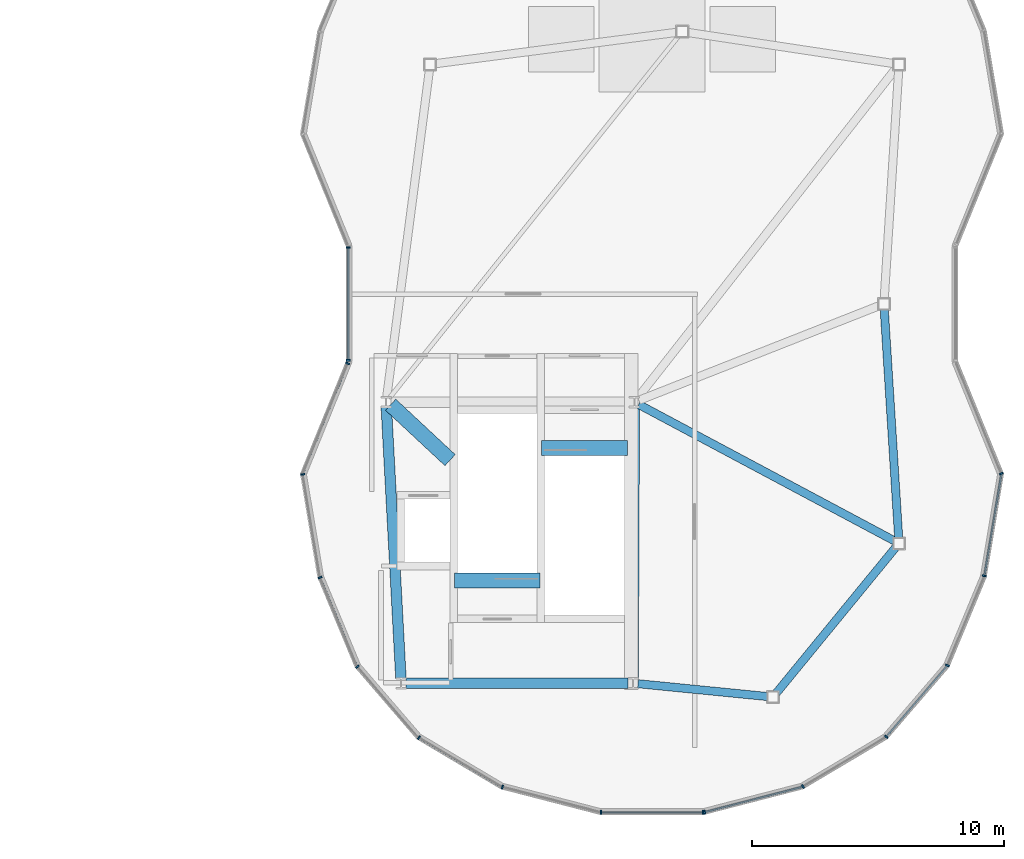
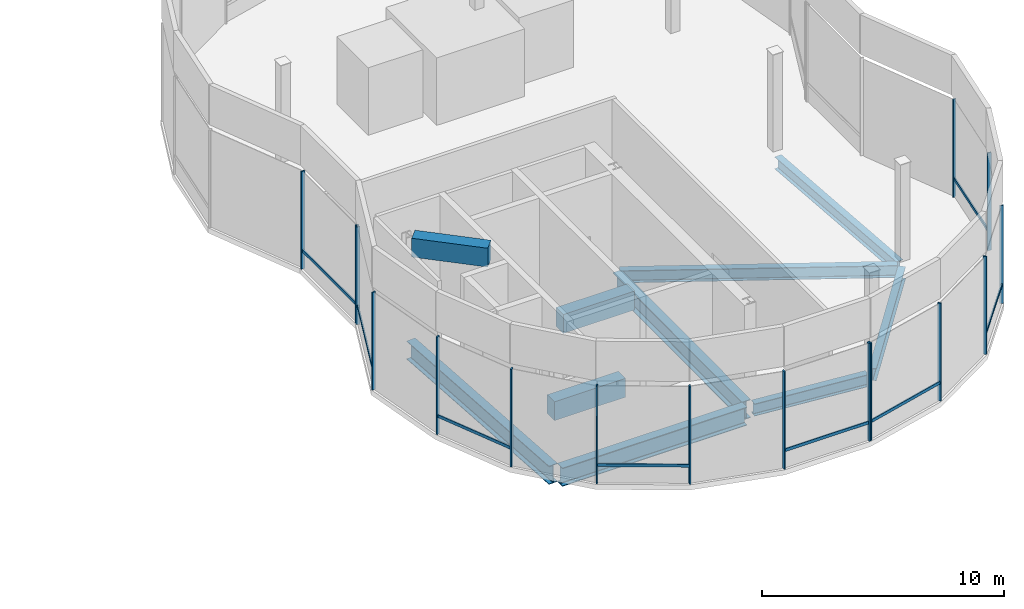
# One storey, part 6 of 14: 24 members, 10 beams, 3 elements without a shape of their own.
"""IFC4 building model written with IfcOpenShell, lengths in metres."""

from ifc_helpers import new_model, si_unit, direction, frame, origin, origin_2d, place, context, subcontext, project, spatial, rectangle, i_section, extrude, material, material_profile, profile_set, type_object, element, aggregate, save


model = new_model("IFC4")

# Units and contexts
model_context = context("Model", 3, precision=1e-05, world=origin(), true_north=direction((0.0, 1.0)))
body_context = subcontext(model_context, "Body", "Model", "MODEL_VIEW")
ifc_project = project(units=[si_unit("LENGTHUNIT", "METRE"), si_unit("AREAUNIT", "SQUARE_METRE"), si_unit("VOLUMEUNIT", "CUBIC_METRE"), si_unit("PLANEANGLEUNIT", "RADIAN"), si_unit("MASSUNIT", "GRAM", prefix="KILO"), si_unit("THERMODYNAMICTEMPERATUREUNIT", "KELVIN"), si_unit("POWERUNIT", "WATT")], contexts=[model_context])

# Site, building, storey
site_placement = place(None, origin())
site = spatial("IfcSite", under=ifc_project, at=site_placement, CompositionType="ELEMENT")
building_placement = place(site_placement, origin())
building = spatial("IfcBuilding", under=site, at=building_placement, Name="Cundina Bronze Exchange", CompositionType="ELEMENT")
storey_placement = place(building_placement, frame((0.0, 0.0, 286.39990234375)))
storey = spatial("IfcBuildingStorey", under=building, at=storey_placement, Name="L76", CompositionType="ELEMENT", Elevation=286.39990234375)

# Beams
ifc_material_1 = material(Name="Concrete C60/75", Category="concrete")
ifc_material_profile_1 = material_profile(ifc_material_1, rectangle(XDim=0.60009765625, YDim=0.949951171875, at=origin_2d()), Name="RC600X950", Category="concrete")
ifc_profile_set_1 = profile_set([ifc_material_profile_1], Name="Concrete C60/75")
beam_type_1 = type_object("IfcBeamType", Name="BM-COUP-RC950", PredefinedType="LINTEL", material=ifc_profile_set_1)
beam_1_placement = place(storey_placement, frame((27.6201171875, -5.719970703125, -0.474853515625), z_axis=(1.0, 0.0, 0.0), x_axis=(0.0, 1.0, 0.0)))
element("IfcBeam", 1, at=beam_1_placement, inside=storey, type_object=beam_type_1, Name="L76 Stair E1 Landing Header Beam", PredefinedType="LINTEL", context=body_context, shape_type="SweptSolid", body=[
    extrude(rectangle(XDim=0.60009765625, YDim=0.949951171875, at=origin_2d()), origin(), (0.0, 0.0, 1.0), 3.39990234375),
])
beam_2_placement = place(storey_placement, frame((24.159912109375, -10.97998046875, -0.474853515625), z_axis=(1.0, 0.0, 0.0), x_axis=(0.0, 1.0, 0.0)))
element("IfcBeam", 2, at=beam_2_placement, inside=storey, type_object=beam_type_1, Name="L76 Stair E2 Landing Header Beam", PredefinedType="LINTEL", context=body_context, shape_type="SweptSolid", body=[
    extrude(rectangle(XDim=0.60009765625, YDim=0.949951171875, at=origin_2d()), origin(), (0.0, 0.0, 1.0), 3.400146484375),
])
beam_3_placement = place(storey_placement, frame((21.6298828125, -4.0, 4.455078125), z_axis=(0.731490439815, -0.681851696822, 0.0), x_axis=(0.681851696822, 0.731490439815, 0.0)))
element("IfcBeam", 3, at=beam_3_placement, inside=storey, type_object=beam_type_1, Name="L76 E Core Shear Coupling Lintel Beam", PredefinedType="LINTEL", context=body_context, shape_type="SweptSolid", body=[
    extrude(rectangle(XDim=0.60009765625, YDim=0.949951171875, at=origin_2d()), origin(), (0.0, 0.0, 1.0), 3.226318359375),
])
ifc_material_2 = material(Name="Steel ASTM A992 Grade 50", Category="steel")
ifc_material_profile_2 = material_profile(ifc_material_2, i_section(OverallWidth=0.324951171875, OverallDepth=0.615966796875, WebThickness=0.013916015625, FlangeThickness=0.021484375, FilletRadius=0.01611328125, at=origin_2d()), Name="W24X117", Category="steel")
ifc_profile_set_2 = profile_set([ifc_material_profile_2], Name="Steel ASTM A992 Grade 50")
beam_type_2 = type_object("IfcBeamType", Name="BM-RING-W24", PredefinedType="USERDEFINED", material=ifc_profile_set_2)
beam_4_placement = place(storey_placement, frame((31.445068359375, -15.0693359375, -0.56787109375), z_axis=(0.995123343793, -0.098638383187, 0.0), x_axis=(0.098638383187, 0.995123343793, 0.0)))
element("IfcBeam", 4, at=beam_4_placement, inside=storey, type_object=beam_type_2, Name="L76 E Inner Structural Ring Girder 01", ObjectType="GIRDER", PredefinedType="USERDEFINED", context=body_context, shape_type="SweptSolid", body=[
    extrude(i_section(OverallWidth=0.324951171875, OverallDepth=0.615966796875, WebThickness=0.013916015625, FlangeThickness=0.021484375, FilletRadius=0.01611328125, at=origin_2d()), origin(), (0.0, 0.0, 1.0), 5.16796875),
])
beam_5_placement = place(storey_placement, frame((36.93505859375, -15.435302734375, -0.56787109375), z_axis=(0.633932446684, 0.773388423136, 0.0), x_axis=(-0.773388423136, 0.633932446684, 0.0)))
element("IfcBeam", 5, at=beam_5_placement, inside=storey, type_object=beam_type_2, Name="L76 E Inner Structural Ring Girder 02", ObjectType="GIRDER", PredefinedType="USERDEFINED", context=body_context, shape_type="SweptSolid", body=[
    extrude(i_section(OverallWidth=0.324951171875, OverallDepth=0.615966796875, WebThickness=0.013916015625, FlangeThickness=0.021484375, FilletRadius=0.01611328125, at=origin_2d()), origin(), (0.0, 0.0, 1.0), 7.46142578125),
])
beam_6_placement = place(storey_placement, frame((41.78662109375, -9.287353515625, -0.56787109375), z_axis=(-0.063043564756, 0.998010775965, 0.0), x_axis=(-0.998010775965, -0.063043564756, 0.0)))
element("IfcBeam", 6, at=beam_6_placement, inside=storey, type_object=beam_type_2, Name="L76 E Inner Structural Ring Girder 03", ObjectType="GIRDER", PredefinedType="USERDEFINED", context=body_context, shape_type="SweptSolid", body=[
    extrude(i_section(OverallWidth=0.324951171875, OverallDepth=0.615966796875, WebThickness=0.013916015625, FlangeThickness=0.021484375, FilletRadius=0.01611328125, at=origin_2d()), origin(), (0.0, 0.0, 1.0), 9.0927734375),
])
beam_7_placement = place(storey_placement, frame((31.472900390625, -3.9921875, -0.56787109375), z_axis=(0.882347059857, -0.470599262602, 0.0), x_axis=(0.470599262602, 0.882347059857, 0.0)))
element("IfcBeam", 7, at=beam_7_placement, inside=storey, type_object=beam_type_2, Name="L76 E Core-to-Waist Tie Beam 2", ObjectType="GIRDER", PredefinedType="USERDEFINED", context=body_context, shape_type="SweptSolid", body=[
    extrude(i_section(OverallWidth=0.324951171875, OverallDepth=0.615966796875, WebThickness=0.013916015625, FlangeThickness=0.021484375, FilletRadius=0.01611328125, at=origin_2d()), origin(), (0.0, 0.0, 1.0), 11.4912109375),
])
ifc_material_profile_3 = material_profile(ifc_material_2, i_section(OverallWidth=0.41796875, OverallDepth=0.927001953125, WebThickness=0.019287109375, FlangeThickness=0.031982421875, FilletRadius=0.02392578125, at=origin_2d()), Name="W36X231", Category="steel")
ifc_profile_set_3 = profile_set([ifc_material_profile_3], Name="Steel ASTM A992 Grade 50")
beam_type_3 = type_object("IfcBeamType", Name="BM-WRN-W36B", PredefinedType="USERDEFINED", material=ifc_profile_set_3)
beam_8_placement = place(storey_placement, frame((21.46044921875, -4.095703125, -0.723388671875), z_axis=(0.053749317644, -0.998554460634, 0.0), x_axis=(0.998554460634, 0.053749317644, 0.0)))
element("IfcBeam", 8, at=beam_8_placement, inside=storey, type_object=beam_type_3, Name="L76 E Core Perimeter Tie Girder 2", ObjectType="GIRDER", PredefinedType="USERDEFINED", context=body_context, shape_type="SweptSolid", body=[
    extrude(i_section(OverallWidth=0.41796875, OverallDepth=0.927001953125, WebThickness=0.019287109375, FlangeThickness=0.031982421875, FilletRadius=0.02392578125, at=origin_2d()), origin(), (0.0, 0.0, 1.0), 10.774169921875),
])
beam_9_placement = place(storey_placement, frame((22.24609375, -15.050048828125, -0.723388671875), z_axis=(1.0, 0.0, 0.0), x_axis=(0.0, 1.0, 0.0)))
element("IfcBeam", 9, at=beam_9_placement, inside=storey, type_object=beam_type_3, Name="L76 E Core Perimeter Tie Girder 3", ObjectType="GIRDER", PredefinedType="USERDEFINED", context=body_context, shape_type="SweptSolid", body=[
    extrude(i_section(OverallWidth=0.41796875, OverallDepth=0.927001953125, WebThickness=0.019287109375, FlangeThickness=0.031982421875, FilletRadius=0.02392578125, at=origin_2d()), origin(), (0.0, 0.0, 1.0), 8.807861328125),
])
beam_10_placement = place(storey_placement, frame((31.2509765625, -14.85400390625, -0.723388671875), z_axis=(0.004470623654, 0.999990006712, 0.0), x_axis=(-0.999990006712, 0.004470623654, 0.0)))
element("IfcBeam", 10, at=beam_10_placement, inside=storey, type_object=beam_type_3, Name="L76 E Core Perimeter Tie Girder 4", ObjectType="GIRDER", PredefinedType="USERDEFINED", context=body_context, shape_type="SweptSolid", body=[
    extrude(i_section(OverallWidth=0.41796875, OverallDepth=0.927001953125, WebThickness=0.019287109375, FlangeThickness=0.031982421875, FilletRadius=0.02392578125, at=origin_2d()), origin(), (0.0, 0.0, 1.0), 10.758056640625),
])

# Curtain wall, members
ifc_material_3 = material(Name="Anodised Bronze Aluminium 6063-T6", Category="aluminium")
curtain_wall_type = type_object("IfcCurtainWallType", Name="CWS-CRN-TMD", PredefinedType="NOTDEFINED", material=ifc_material_3)
curtain_wall_1_placement = place(storey_placement, origin())
curtain_wall_1 = element("IfcCurtainWall", 11, at=curtain_wall_1_placement, inside=storey, type_object=curtain_wall_type, Name="L76 CW-07 Curtain Wall Run CWR-L76-E2", PredefinedType="NOTDEFINED")
ifc_material_profile_4 = material_profile(ifc_material_3, rectangle(XDim=0.06494140625, YDim=0.159912109375, at=origin_2d()), Name="AL65X160", Category="aluminium")
ifc_profile_set_4 = profile_set([ifc_material_profile_4], Name="Anodised Bronze Aluminium 6063-T6")
member_type_1 = type_object("IfcMemberType", Name="CWM-MUL-160", PredefinedType="MULLION", material=ifc_profile_set_4)
member_1_placement = place(storey_placement, frame((19.951904296875, 2.238525390625, 0.0), z_axis=(0.0, 0.0, 1.0), x_axis=(0.0, -1.0, 0.0)))
member_1 = element("IfcMember", 12, at=member_1_placement, type_object=member_type_1, Name="CW-07 Mullion 7", PredefinedType="MULLION", context=body_context, shape_type="SweptSolid", body=[
    extrude(rectangle(XDim=0.06494140625, YDim=0.159912109375, at=origin_2d()), origin(), (0.0, 0.0, 1.0), 4.93017578125),
])
member_2_placement = place(storey_placement, frame((19.951904296875, -2.238525390625, 0.0), z_axis=(0.0, 0.0, 1.0), x_axis=(0.0, -1.0, 0.0)))
member_2 = element("IfcMember", 13, at=member_2_placement, type_object=member_type_1, Name="CW-07 End Mullion", PredefinedType="MULLION", context=body_context, shape_type="SweptSolid", body=[
    extrude(rectangle(XDim=0.06494140625, YDim=0.159912109375, at=origin_2d()), origin(), (0.0, 0.0, 1.0), 4.93017578125),
])

curtain_wall_2_placement = place(storey_placement, origin())
curtain_wall_2 = element("IfcCurtainWall", 14, at=curtain_wall_2_placement, inside=storey, type_object=curtain_wall_type, Name="L76 CW-07 Curtain Wall Run CWR-L76-E3", PredefinedType="NOTDEFINED")
member_3_placement = place(storey_placement, frame((19.927490234375, -2.364013671875, 0.0), z_axis=(0.0, 0.0, 1.0), x_axis=(-0.377517574003, -0.926002419716, 0.0)))
member_3 = element("IfcMember", 15, at=member_3_placement, type_object=member_type_1, Name="CW-07 Mullion 1", PredefinedType="MULLION", context=body_context, shape_type="SweptSolid", body=[
    extrude(rectangle(XDim=0.06494140625, YDim=0.159912109375, at=origin_2d()), origin(), (0.0, 0.0, 1.0), 4.93017578125),
])
member_4_placement = place(storey_placement, frame((18.14208984375, -6.766357421875, 0.0), z_axis=(0.0, 0.0, 1.0), x_axis=(0.165047605861, -0.986285601537, 0.0)))
member_4 = element("IfcMember", 16, at=member_4_placement, type_object=member_type_1, Name="CW-07 Mullion 2", PredefinedType="MULLION", context=body_context, shape_type="SweptSolid", body=[
    extrude(rectangle(XDim=0.06494140625, YDim=0.159912109375, at=origin_2d()), origin(), (0.0, 0.0, 1.0), 4.93017578125),
])
member_5_placement = place(storey_placement, frame((18.834716796875, -10.856689453125, 0.0), z_axis=(0.0, 0.0, 1.0), x_axis=(0.383650706743, -0.923478280858, 0.0)))
member_5 = element("IfcMember", 17, at=member_5_placement, type_object=member_type_1, Name="CW-07 Mullion 3", PredefinedType="MULLION", context=body_context, shape_type="SweptSolid", body=[
    extrude(rectangle(XDim=0.06494140625, YDim=0.159912109375, at=origin_2d()), origin(), (0.0, 0.0, 1.0), 4.93017578125),
])
member_6_placement = place(storey_placement, frame((20.314453125, -14.394287109375, 0.0), z_axis=(0.0, 0.0, 1.0), x_axis=(0.652495272634, -0.757792794364, 0.0)))
member_6 = element("IfcMember", 18, at=member_6_placement, type_object=member_type_1, Name="CW-07 Mullion 4", PredefinedType="MULLION", context=body_context, shape_type="SweptSolid", body=[
    extrude(rectangle(XDim=0.06494140625, YDim=0.159912109375, at=origin_2d()), origin(), (0.0, 0.0, 1.0), 4.93017578125),
])
member_7_placement = place(storey_placement, frame((22.751220703125, -17.210205078125, 0.0), z_axis=(0.0, 0.0, 1.0), x_axis=(0.859763151952, -0.510692982667, 0.0)))
member_7 = element("IfcMember", 19, at=member_7_placement, type_object=member_type_1, Name="CW-07 Mullion 5", PredefinedType="MULLION", context=body_context, shape_type="SweptSolid", body=[
    extrude(rectangle(XDim=0.06494140625, YDim=0.159912109375, at=origin_2d()), origin(), (0.0, 0.0, 1.0), 4.93017578125),
])
member_8_placement = place(storey_placement, frame((26.067138671875, -19.169677734375, 0.0), z_axis=(0.0, 0.0, 1.0), x_axis=(0.968147640378, -0.250380004054, 0.0)))
member_8 = element("IfcMember", 20, at=member_8_placement, type_object=member_type_1, Name="CW-07 Mullion 6", PredefinedType="MULLION", context=body_context, shape_type="SweptSolid", body=[
    extrude(rectangle(XDim=0.06494140625, YDim=0.159912109375, at=origin_2d()), origin(), (0.0, 0.0, 1.0), 4.93017578125),
])
member_9_placement = place(storey_placement, frame((29.9765625, -20.172119140625, 0.0), z_axis=(0.0, 0.0, 1.0), x_axis=(1.0, 0.0, 0.0)))
member_9 = element("IfcMember", 21, at=member_9_placement, type_object=member_type_1, Name="CW-07 Mullion 7", PredefinedType="MULLION", context=body_context, shape_type="SweptSolid", body=[
    extrude(rectangle(XDim=0.06494140625, YDim=0.159912109375, at=origin_2d()), origin(), (0.0, 0.0, 1.0), 4.93017578125),
])
member_10_placement = place(storey_placement, frame((34.0234375, -20.172119140625, 0.0), z_axis=(0.0, 0.0, 1.0), x_axis=(1.0, 0.0, 0.0)))
member_10 = element("IfcMember", 22, at=member_10_placement, type_object=member_type_1, Name="CW-07 End Mullion", PredefinedType="MULLION", context=body_context, shape_type="SweptSolid", body=[
    extrude(rectangle(XDim=0.06494140625, YDim=0.159912109375, at=origin_2d()), origin(), (0.0, 0.0, 1.0), 4.93017578125),
])

curtain_wall_3_placement = place(storey_placement, origin())
curtain_wall_3 = element("IfcCurtainWall", 23, at=curtain_wall_3_placement, inside=storey, type_object=curtain_wall_type, Name="L76 CW-07 Curtain Wall Run CWR-L76-E4", PredefinedType="NOTDEFINED")
member_11_placement = place(storey_placement, frame((34.087890625, -20.163818359375, 0.0), z_axis=(0.0, 0.0, 1.0), x_axis=(0.968147640378, 0.250380004054, 0.0)))
member_11 = element("IfcMember", 24, at=member_11_placement, type_object=member_type_1, Name="CW-07 Mullion 1", PredefinedType="MULLION", context=body_context, shape_type="SweptSolid", body=[
    extrude(rectangle(XDim=0.06494140625, YDim=0.159912109375, at=origin_2d()), origin(), (0.0, 0.0, 1.0), 4.93017578125),
])
member_12_placement = place(storey_placement, frame((37.989990234375, -19.145751953125, 0.0), z_axis=(0.0, 0.0, 1.0), x_axis=(0.859763151952, 0.510692982667, 0.0)))
member_12 = element("IfcMember", 25, at=member_12_placement, type_object=member_type_1, Name="CW-07 Mullion 2", PredefinedType="MULLION", context=body_context, shape_type="SweptSolid", body=[
    extrude(rectangle(XDim=0.06494140625, YDim=0.159912109375, at=origin_2d()), origin(), (0.0, 0.0, 1.0), 4.93017578125),
])
member_13_placement = place(storey_placement, frame((41.29296875, -17.17333984375, 0.0), z_axis=(0.0, 0.0, 1.0), x_axis=(0.652495272634, 0.757792794364, 0.0)))
member_13 = element("IfcMember", 26, at=member_13_placement, type_object=member_type_1, Name="CW-07 Mullion 3", PredefinedType="MULLION", context=body_context, shape_type="SweptSolid", body=[
    extrude(rectangle(XDim=0.06494140625, YDim=0.159912109375, at=origin_2d()), origin(), (0.0, 0.0, 1.0), 4.93017578125),
])
member_14_placement = place(storey_placement, frame((43.716064453125, -14.344482421875, 0.0), z_axis=(0.0, 0.0, 1.0), x_axis=(0.383650706743, 0.923478280858, 0.0)))
member_14 = element("IfcMember", 27, at=member_14_placement, type_object=member_type_1, Name="CW-07 Mullion 4", PredefinedType="MULLION", context=body_context, shape_type="SweptSolid", body=[
    extrude(rectangle(XDim=0.06494140625, YDim=0.159912109375, at=origin_2d()), origin(), (0.0, 0.0, 1.0), 4.93017578125),
])
member_15_placement = place(storey_placement, frame((45.183837890625, -10.79150390625, 0.0), z_axis=(0.0, 0.0, 1.0), x_axis=(0.165047605861, 0.986285601537, 0.0)))
member_15 = element("IfcMember", 28, at=member_15_placement, type_object=member_type_1, Name="CW-07 Mullion 5", PredefinedType="MULLION", context=body_context, shape_type="SweptSolid", body=[
    extrude(rectangle(XDim=0.06494140625, YDim=0.159912109375, at=origin_2d()), origin(), (0.0, 0.0, 1.0), 4.93017578125),
])
member_16_placement = place(storey_placement, frame((45.854248046875, -6.733642578125, 0.0), z_axis=(0.0, 0.0, 1.0), x_axis=(-0.377517574003, 0.926002419716, 0.0)))
member_16 = element("IfcMember", 29, at=member_16_placement, type_object=member_type_1, Name="CW-07 Mullion 6", PredefinedType="MULLION", context=body_context, shape_type="SweptSolid", body=[
    extrude(rectangle(XDim=0.06494140625, YDim=0.159912109375, at=origin_2d()), origin(), (0.0, 0.0, 1.0), 4.93017578125),
])

# Member
ifc_material_profile_5 = material_profile(ifc_material_3, rectangle(XDim=0.06494140625, YDim=0.14990234375, at=origin_2d()), Name="AL65X150", Category="aluminium")
ifc_profile_set_5 = profile_set([ifc_material_profile_5], Name="Anodised Bronze Aluminium 6063-T6")
member_type_2 = type_object("IfcMemberType", Name="CWM-TRN-150", PredefinedType="USERDEFINED", material=ifc_profile_set_5)
member_17_placement = place(storey_placement, frame((19.951904296875, 2.20263671875, 0.920166015625), z_axis=(0.0, -1.0, 0.0), x_axis=(1.0, 0.0, 0.0)))
member_17 = element("IfcMember", 30, at=member_17_placement, type_object=member_type_2, Name="CW-07 Spandrel Transom 7", ObjectType="TRANSOM", PredefinedType="USERDEFINED", context=body_context, shape_type="SweptSolid", body=[
    extrude(rectangle(XDim=0.06494140625, YDim=0.14990234375, at=origin_2d()), origin(), (0.0, 0.0, 1.0), 4.4052734375),
])

aggregate(curtain_wall_1, [member_1, member_2, member_17])

member_18_placement = place(storey_placement, frame((19.913818359375, -2.39697265625, 0.920166015625), z_axis=(-0.377528598673, -0.925997925043, 0.0), x_axis=(0.925997925043, -0.377528598673, 0.0)))
member_18 = element("IfcMember", 31, at=member_18_placement, type_object=member_type_2, Name="CW-07 Spandrel Transom 1", ObjectType="TRANSOM", PredefinedType="USERDEFINED", context=body_context, shape_type="SweptSolid", body=[
    extrude(rectangle(XDim=0.06494140625, YDim=0.14990234375, at=origin_2d()), origin(), (0.0, 0.0, 1.0), 4.71875),
])

member_19_placement = place(storey_placement, frame((18.848388671875, -10.8896484375, 0.920166015625), z_axis=(0.383683502182, -0.923464655606, 0.0), x_axis=(0.923464655606, 0.383683502182, 0.0)))
member_19 = element("IfcMember", 32, at=member_19_placement, type_object=member_type_2, Name="CW-07 Spandrel Transom 3", ObjectType="TRANSOM", PredefinedType="USERDEFINED", context=body_context, shape_type="SweptSolid", body=[
    extrude(rectangle(XDim=0.06494140625, YDim=0.14990234375, at=origin_2d()), origin(), (0.0, 0.0, 1.0), 3.777099609375),
])

member_20_placement = place(storey_placement, frame((22.781982421875, -17.228515625, 0.920166015625), z_axis=(0.859780509017, -0.510663760525, 0.0), x_axis=(0.510663760525, 0.859780509017, 0.0)))
member_20 = element("IfcMember", 33, at=member_20_placement, type_object=member_type_2, Name="CW-07 Spandrel Transom 5", ObjectType="TRANSOM", PredefinedType="USERDEFINED", context=body_context, shape_type="SweptSolid", body=[
    extrude(rectangle(XDim=0.06494140625, YDim=0.14990234375, at=origin_2d()), origin(), (0.0, 0.0, 1.0), 3.790283203125),
])

member_21_placement = place(storey_placement, frame((30.01220703125, -20.172119140625, 0.920166015625), z_axis=(1.0, 0.0, 0.0), x_axis=(0.0, 1.0, 0.0)))
member_21 = element("IfcMember", 34, at=member_21_placement, type_object=member_type_2, Name="CW-07 Spandrel Transom 7", ObjectType="TRANSOM", PredefinedType="USERDEFINED", context=body_context, shape_type="SweptSolid", body=[
    extrude(rectangle(XDim=0.06494140625, YDim=0.14990234375, at=origin_2d()), origin(), (0.0, 0.0, 1.0), 3.9755859375),
])

aggregate(curtain_wall_2, [member_3, member_18, member_4, member_5, member_19, member_6, member_7, member_20, member_8, member_9, member_10, member_21])

member_22_placement = place(storey_placement, frame((34.12255859375, -20.15478515625, 0.920166015625), z_axis=(0.96816206864, 0.250324207474, 0.0), x_axis=(-0.250324207474, 0.96816206864, 0.0)))
member_22 = element("IfcMember", 35, at=member_22_placement, type_object=member_type_2, Name="CW-07 Spandrel Transom 1", ObjectType="TRANSOM", PredefinedType="USERDEFINED", context=body_context, shape_type="SweptSolid", body=[
    extrude(rectangle(XDim=0.06494140625, YDim=0.14990234375, at=origin_2d()), origin(), (0.0, 0.0, 1.0), 3.971435546875),
])

member_23_placement = place(storey_placement, frame((41.316162109375, -17.146240234375, 0.920166015625), z_axis=(0.652483845386, 0.757802633612, 0.0), x_axis=(-0.757802633612, 0.652483845386, 0.0)))
member_23 = element("IfcMember", 36, at=member_23_placement, type_object=member_type_2, Name="CW-07 Spandrel Transom 3", ObjectType="TRANSOM", PredefinedType="USERDEFINED", context=body_context, shape_type="SweptSolid", body=[
    extrude(rectangle(XDim=0.06494140625, YDim=0.14990234375, at=origin_2d()), origin(), (0.0, 0.0, 1.0), 3.667236328125),
])

member_24_placement = place(storey_placement, frame((45.189697265625, -10.75634765625, 0.920166015625), z_axis=(0.165165290928, 0.986265900593, 0.0), x_axis=(-0.986265900593, 0.165165290928, 0.0)))
member_24 = element("IfcMember", 37, at=member_24_placement, type_object=member_type_2, Name="CW-07 Spandrel Transom 5", ObjectType="TRANSOM", PredefinedType="USERDEFINED", context=body_context, shape_type="SweptSolid", body=[
    extrude(rectangle(XDim=0.06494140625, YDim=0.14990234375, at=origin_2d()), origin(), (0.0, 0.0, 1.0), 4.081298828125),
])

aggregate(curtain_wall_3, [member_11, member_22, member_12, member_13, member_23, member_14, member_15, member_24, member_16])

save(model, "model.ifc")
